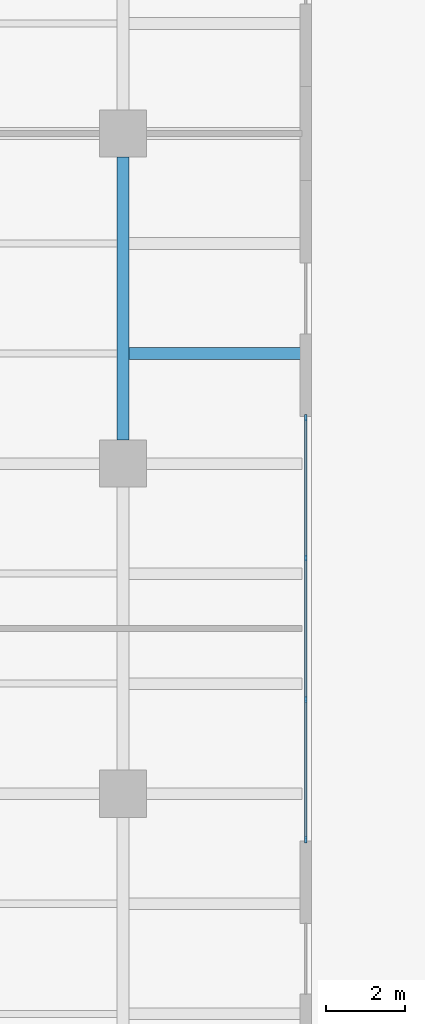
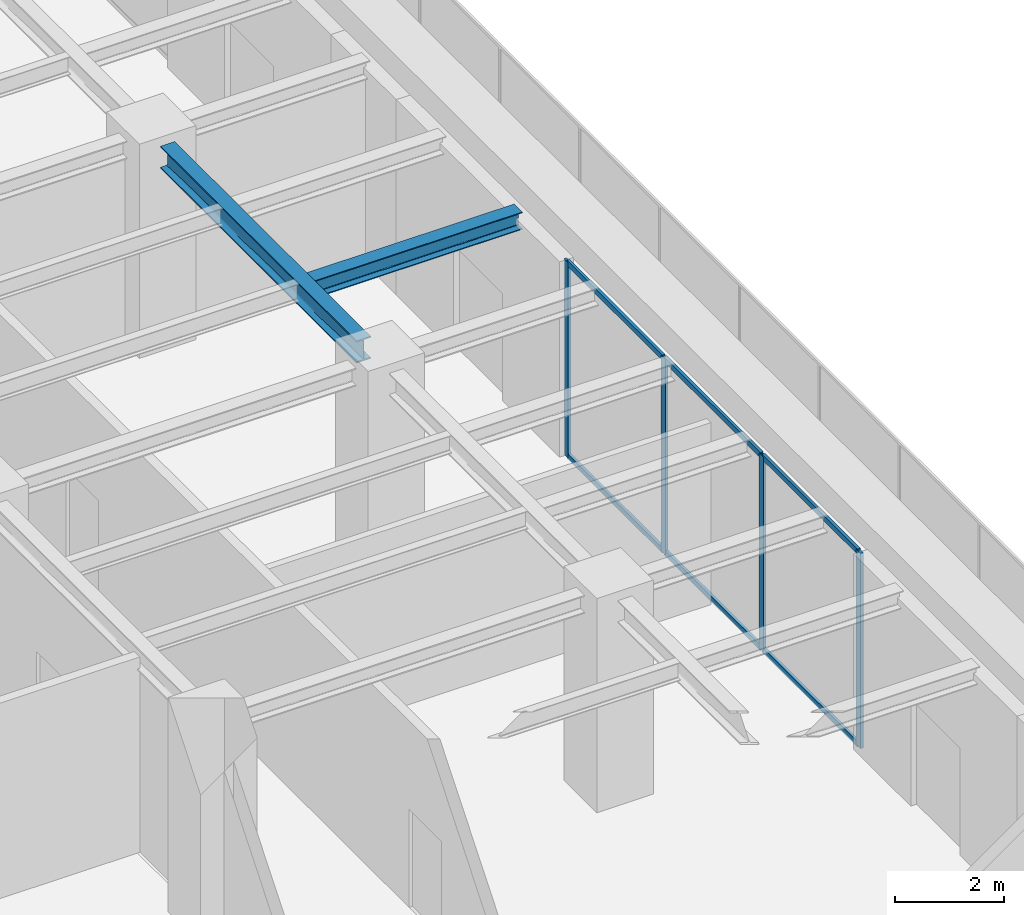
# One storey, part 9 of 32: 10 members, 2 beams, 1 element without a shape of its own.
"""IFC4 building model written with IfcOpenShell, lengths in metres."""

from ifc_helpers import new_model, si_unit, direction, frame, origin, origin_2d, place, context, subcontext, project, spatial, rectangle, i_section, extrude, material, material_profile, profile_set, type_object, element, aggregate, save


model = new_model("IFC4")

# Units and contexts
model_context = context("Model", 3, precision=1e-05, world=origin(), true_north=direction((0.0, 1.0)))
body_context = subcontext(model_context, "Body", "Model", "MODEL_VIEW")
ifc_project = project(units=[si_unit("LENGTHUNIT", "METRE"), si_unit("AREAUNIT", "SQUARE_METRE"), si_unit("VOLUMEUNIT", "CUBIC_METRE"), si_unit("PLANEANGLEUNIT", "RADIAN"), si_unit("MASSUNIT", "GRAM", prefix="KILO")], contexts=[model_context])

# Site, building, storey
site_placement = place(None, origin())
site = spatial("IfcSite", under=ifc_project, at=site_placement, CompositionType="ELEMENT")
building_placement = place(site_placement, origin())
building = spatial("IfcBuilding", under=site, at=building_placement, Name="Khepri Terraces", CompositionType="ELEMENT")
storey_placement = place(building_placement, frame((0.0, 0.0, 12.0)))
storey = spatial("IfcBuildingStorey", under=building, at=storey_placement, Name="L02", CompositionType="ELEMENT", Elevation=12.0)

# Curtain wall, members
ifc_material_1 = material(Name="Anodised aluminium bronze curtain wall", Category="aluminium")
curtain_wall_type = type_object("IfcCurtainWallType", Name="CW-SYS2-PODIUM", PredefinedType="NOTDEFINED", material=ifc_material_1)
curtain_wall_placement = place(storey_placement, origin())
curtain_wall = element("IfcCurtainWall", 1, at=curtain_wall_placement, inside=storey, type_object=curtain_wall_type, Name="Curtain wall CW2 L02 E", PredefinedType="NOTDEFINED")
ifc_material_2 = material(Name="Anodised aluminium bronze", Category="aluminium")
ifc_material_profile_1 = material_profile(ifc_material_2, rectangle(XDim=0.06005859375, YDim=0.159912109375, at=origin_2d()), Name="Anodised aluminium bronze", Category="aluminium")
ifc_profile_set_1 = profile_set([ifc_material_profile_1], Name="Anodised aluminium bronze")
member_type_1 = type_object("IfcMemberType", Name="CW-MULLION-60x160", PredefinedType="MULLION", material=ifc_profile_set_1)
member_1_placement = place(storey_placement, frame((38.25, 7.22998046875, 0.0), z_axis=(0.0, 0.0, 1.0), x_axis=(-1.0, 0.0, 0.0)))
member_1 = element("IfcMember", 2, at=member_1_placement, type_object=member_type_1, Name="CW2 mullion 1", PredefinedType="MULLION", context=body_context, shape_type="SweptSolid", body=[
    extrude(rectangle(XDim=0.06005859375, YDim=0.159912109375, at=origin_2d()), origin(), (0.0, 0.0, 1.0), 4.3798828125),
])
member_2_placement = place(storey_placement, frame((38.25, 10.800048828125, 0.0), z_axis=(0.0, 0.0, 1.0), x_axis=(-1.0, 0.0, 0.0)))
member_2 = element("IfcMember", 3, at=member_2_placement, type_object=member_type_1, Name="CW2 mullion 2", PredefinedType="MULLION", context=body_context, shape_type="SweptSolid", body=[
    extrude(rectangle(XDim=0.06005859375, YDim=0.159912109375, at=origin_2d()), origin(), (0.0, 0.0, 1.0), 4.3798828125),
])
member_3_placement = place(storey_placement, frame((38.25, 14.39990234375, 0.0), z_axis=(0.0, 0.0, 1.0), x_axis=(-1.0, 0.0, 0.0)))
member_3 = element("IfcMember", 4, at=member_3_placement, type_object=member_type_1, Name="CW2 mullion 3", PredefinedType="MULLION", context=body_context, shape_type="SweptSolid", body=[
    extrude(rectangle(XDim=0.06005859375, YDim=0.159912109375, at=origin_2d()), origin(), (0.0, 0.0, 1.0), 4.3798828125),
])
member_4_placement = place(storey_placement, frame((38.25, 17.969970703125, 0.0), z_axis=(0.0, 0.0, 1.0), x_axis=(-1.0, 0.0, 0.0)))
member_4 = element("IfcMember", 5, at=member_4_placement, type_object=member_type_1, Name="CW2 mullion 4", PredefinedType="MULLION", context=body_context, shape_type="SweptSolid", body=[
    extrude(rectangle(XDim=0.06005859375, YDim=0.159912109375, at=origin_2d()), origin(), (0.0, 0.0, 1.0), 4.3798828125),
])
ifc_material_profile_2 = material_profile(ifc_material_2, rectangle(XDim=0.06005859375, YDim=0.1201171875, at=origin_2d()), Name="Anodised aluminium bronze", Category="aluminium")
ifc_profile_set_2 = profile_set([ifc_material_profile_2], Name="Anodised aluminium bronze")
member_type_2 = type_object("IfcMemberType", Name="CW-TRANSOM-60x120", PredefinedType="USERDEFINED", material=ifc_profile_set_2)
member_5_placement = place(storey_placement, frame((38.25, 7.260009765625, 0.030029296875), z_axis=(0.0, 1.0, 0.0), x_axis=(-1.0, 0.0, 0.0)))
member_5 = element("IfcMember", 6, at=member_5_placement, type_object=member_type_2, Name="CW2 transom 1.1", ObjectType="TRANSOM", PredefinedType="USERDEFINED", context=body_context, shape_type="SweptSolid", body=[
    extrude(rectangle(XDim=0.06005859375, YDim=0.1201171875, at=origin_2d()), origin(), (0.0, 0.0, 1.0), 3.510009765625),
])
member_6_placement = place(storey_placement, frame((38.25, 7.260009765625, 4.35009765625), z_axis=(0.0, 1.0, 0.0), x_axis=(-1.0, 0.0, 0.0)))
member_6 = element("IfcMember", 7, at=member_6_placement, type_object=member_type_2, Name="CW2 transom 1.2", ObjectType="TRANSOM", PredefinedType="USERDEFINED", context=body_context, shape_type="SweptSolid", body=[
    extrude(rectangle(XDim=0.06005859375, YDim=0.1201171875, at=origin_2d()), origin(), (0.0, 0.0, 1.0), 3.510009765625),
])
member_7_placement = place(storey_placement, frame((38.25, 10.830078125, 0.030029296875), z_axis=(0.0, 1.0, 0.0), x_axis=(-1.0, 0.0, 0.0)))
member_7 = element("IfcMember", 8, at=member_7_placement, type_object=member_type_2, Name="CW2 transom 2.1", ObjectType="TRANSOM", PredefinedType="USERDEFINED", context=body_context, shape_type="SweptSolid", body=[
    extrude(rectangle(XDim=0.06005859375, YDim=0.1201171875, at=origin_2d()), origin(), (0.0, 0.0, 1.0), 3.5400390625),
])
member_8_placement = place(storey_placement, frame((38.25, 10.830078125, 4.35009765625), z_axis=(0.0, 1.0, 0.0), x_axis=(-1.0, 0.0, 0.0)))
member_8 = element("IfcMember", 9, at=member_8_placement, type_object=member_type_2, Name="CW2 transom 2.2", ObjectType="TRANSOM", PredefinedType="USERDEFINED", context=body_context, shape_type="SweptSolid", body=[
    extrude(rectangle(XDim=0.06005859375, YDim=0.1201171875, at=origin_2d()), origin(), (0.0, 0.0, 1.0), 3.5400390625),
])
member_9_placement = place(storey_placement, frame((38.25, 14.429931640625, 0.030029296875), z_axis=(0.0, 1.0, 0.0), x_axis=(-1.0, 0.0, 0.0)))
member_9 = element("IfcMember", 10, at=member_9_placement, type_object=member_type_2, Name="CW2 transom 3.1", ObjectType="TRANSOM", PredefinedType="USERDEFINED", context=body_context, shape_type="SweptSolid", body=[
    extrude(rectangle(XDim=0.06005859375, YDim=0.1201171875, at=origin_2d()), origin(), (0.0, 0.0, 1.0), 3.510009765625),
])
member_10_placement = place(storey_placement, frame((38.25, 14.429931640625, 4.35009765625), z_axis=(0.0, 1.0, 0.0), x_axis=(-1.0, 0.0, 0.0)))
member_10 = element("IfcMember", 11, at=member_10_placement, type_object=member_type_2, Name="CW2 transom 3.2", ObjectType="TRANSOM", PredefinedType="USERDEFINED", context=body_context, shape_type="SweptSolid", body=[
    extrude(rectangle(XDim=0.06005859375, YDim=0.1201171875, at=origin_2d()), origin(), (0.0, 0.0, 1.0), 3.510009765625),
])
aggregate(curtain_wall, [member_1, member_2, member_3, member_4, member_5, member_6, member_7, member_8, member_9, member_10])

# Beams
ifc_material_3 = material(Name="Steel S355", Category="steel")
ifc_material_profile_3 = material_profile(ifc_material_3, i_section(OverallWidth=0.300048828125, OverallDepth=0.389892578125, WebThickness=0.010986328125, FlangeThickness=0.01904296875, FilletRadius=0.027099609375, at=origin_2d()), Name="Steel S355", Category="steel")
ifc_profile_set_3 = profile_set([ifc_material_profile_3], Name="Steel S355")
beam_type_1 = type_object("IfcBeamType", Name="Podium cantilever joist L03 HEA 400", PredefinedType="JOIST", material=ifc_profile_set_3)
beam_1_placement = place(storey_placement, frame((33.75, 19.60009765625, 4.405029296875), z_axis=(1.0, 0.0, 0.0), x_axis=(0.0, 1.0, 0.0)))
element("IfcBeam", 12, at=beam_1_placement, inside=storey, type_object=beam_type_1, Name="Podium cantilever joist L03 112", PredefinedType="JOIST", context=body_context, shape_type="SweptSolid", body=[
    extrude(i_section(OverallWidth=0.300048828125, OverallDepth=0.389892578125, WebThickness=0.010986328125, FlangeThickness=0.01904296875, FilletRadius=0.027099609375, at=origin_2d()), origin(), (0.0, 0.0, 1.0), 4.39990234375),
])
ifc_material_profile_4 = material_profile(ifc_material_3, i_section(OverallWidth=0.300048828125, OverallDepth=0.5, WebThickness=0.014404296875, FlangeThickness=0.028076171875, FilletRadius=0.027099609375, at=origin_2d()), Name="Steel S355", Category="steel")
ifc_profile_set_4 = profile_set([ifc_material_profile_4], Name="Steel S355")
beam_type_2 = type_object("IfcBeamType", Name="Podium girder L03 HEB 500", PredefinedType="BEAM", material=ifc_profile_set_4)
beam_2_placement = place(storey_placement, frame((33.60009765625, 17.39990234375, 4.35009765625), z_axis=(0.0, 1.0, 0.0), x_axis=(-1.0, 0.0, 0.0)))
element("IfcBeam", 13, at=beam_2_placement, inside=storey, type_object=beam_type_2, Name="Podium girder L03 054", PredefinedType="BEAM", context=body_context, shape_type="SweptSolid", body=[
    extrude(i_section(OverallWidth=0.300048828125, OverallDepth=0.5, WebThickness=0.014404296875, FlangeThickness=0.028076171875, FilletRadius=0.027099609375, at=origin_2d()), origin(), (0.0, 0.0, 1.0), 7.2001953125),
])

save(model, "model.ifc")
